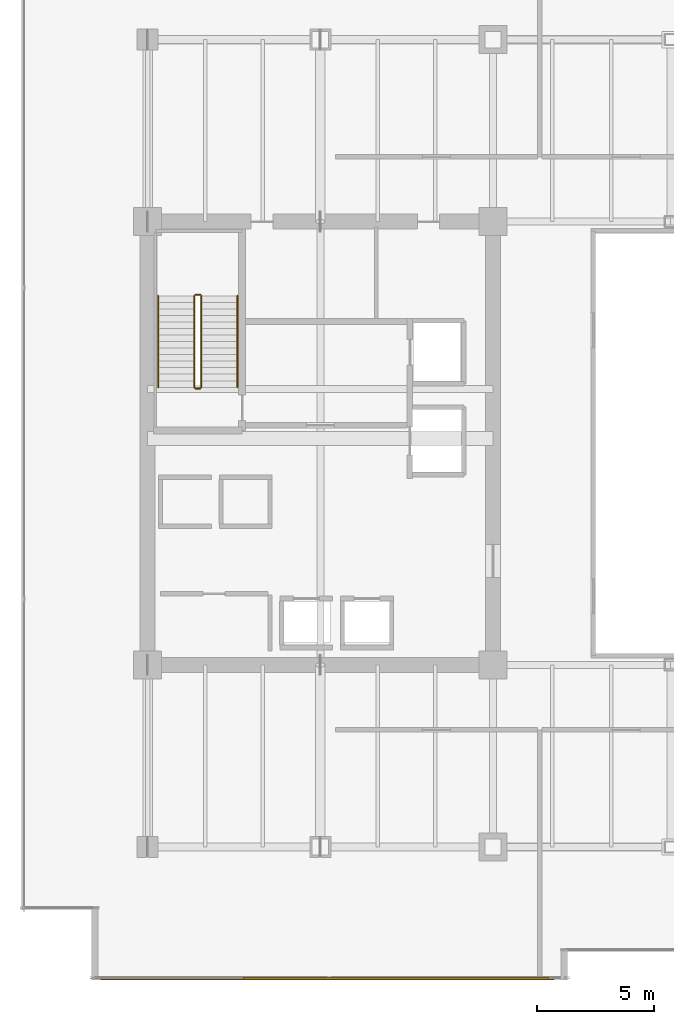
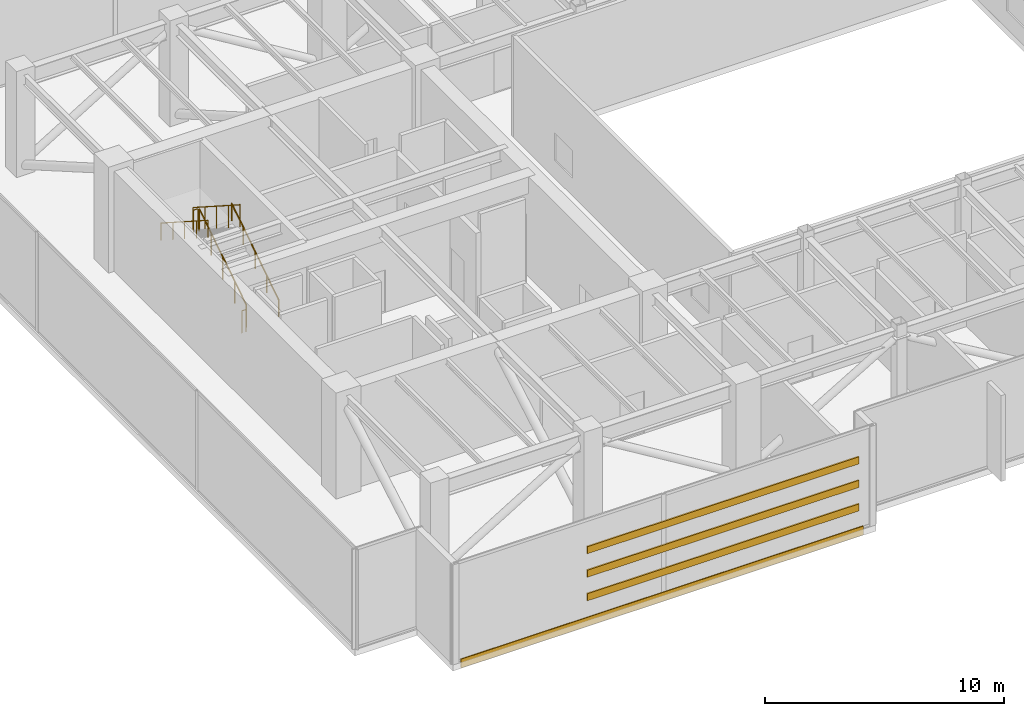
# One storey, part 32 of 34: 6 railings, 3 shading devices, 1 covering.
"""IFC4 building model written with IfcOpenShell, lengths in metres."""

from ifc_helpers import new_model, si_unit, direction, frame, frame_2d, origin, origin_2d, place, context, subcontext, project, spatial, rectangle, circle, extrude, source, transform, mapped, material, layer, layer_set, material_profile, profile_set, type_object, type_shapes, element, save


model = new_model("IFC4")

# Units and contexts
model_context = context("Model", 3, precision=1e-05, world=origin(), true_north=direction((0.0, 1.0)))
body_context = subcontext(model_context, "Body", "Model", "MODEL_VIEW")
ifc_project = project(units=[si_unit("LENGTHUNIT", "METRE"), si_unit("AREAUNIT", "SQUARE_METRE"), si_unit("VOLUMEUNIT", "CUBIC_METRE"), si_unit("PLANEANGLEUNIT", "RADIAN"), si_unit("MASSUNIT", "GRAM", prefix="KILO")], contexts=[model_context])

# Site, building, storey
site_placement = place(None, origin())
site = spatial("IfcSite", under=ifc_project, at=site_placement, CompositionType="ELEMENT")
building_placement = place(site_placement, origin())
building = spatial("IfcBuilding", under=site, at=building_placement, Name="Haelvirn Gate Laboratories", CompositionType="ELEMENT")
storey_placement = place(building_placement, frame((0.0, 0.0, 191.199951171875)))
storey = spatial("IfcBuildingStorey", under=building, at=storey_placement, Name="L46", CompositionType="ELEMENT", Elevation=191.199951171875)

# Covering
ifc_material_1 = material(Name="Anodised bronze honeycomb aluminium spandrel cladding", Category="aluminium")
ifc_layer = layer(ifc_material_1, 0.044921875, Name="COV-CLAD-BRZ")
ifc_layer_set = layer_set([ifc_layer], Name="Anodised bronze honeycomb aluminium spandrel cladding")
covering_type = type_object("IfcCoveringType", Name="COV-CLAD-BRZ", PredefinedType="CLADDING", material=ifc_layer_set)
covering_placement = place(storey_placement, frame((5.39990234375, 1.330078125, -0.300048828125), z_axis=(0.0, 0.0, 1.0), x_axis=(1.0, 0.0, 0.0)))
element("IfcCovering", 1, at=covering_placement, inside=storey, type_object=covering_type, Name="L46 Bronze Slab-Edge Spandrel Cladding SW", PredefinedType="CLADDING", context=body_context, shape_type="SweptSolid", body=[
    extrude(rectangle(XDim=19.400146484375, YDim=0.044921875, at=frame_2d((9.7001953125, 0.0))), origin(), (0.0, 0.0, 1.0), 0.4501953125),
])

# Shading devices
ifc_material_2 = material(Name="Extruded aluminium 6063-T6 (anodised bronze)", Category="aluminium")
ifc_material_profile = material_profile(ifc_material_2, rectangle(XDim=0.080078125, YDim=0.360107421875, at=origin_2d()), Name="LOUV-360x80")
ifc_profile_set = profile_set([ifc_material_profile], Name="Extruded aluminium 6063-T6 (anodised bronze)")
shading_device_type = type_object("IfcShadingDeviceType", Name="SHD-LOUV-360", PredefinedType="USERDEFINED", material=ifc_profile_set)
shared_shape_1 = source(origin(), body_context, "Body", "SweptSolid", [
    extrude(rectangle(XDim=0.080078125, YDim=0.360107421875, at=origin_2d()), origin(), (0.0, 0.0, 1.0), 13.10009765625),
])
type_shapes(shading_device_type, [shared_shape_1])
for number, where, z_axis, x_axis, name in (
    (2, (11.5, 1.3798828125, 1.150146484375), (1.0, 0.0, 0.0), (0.0, 1.0, 0.0), "L46 South Acoustic Plant Louvre 1"),
    (3, (11.5, 1.3798828125, 2.35009765625), (1.0, 0.0, 0.0), (0.0, 1.0, 0.0), "L46 South Acoustic Plant Louvre 2"),
    (4, (11.5, 1.3798828125, 3.550048828125), (1.0, 0.0, 0.0), (0.0, 1.0, 0.0), "L46 South Acoustic Plant Louvre 3"),
):
    element("IfcShadingDevice", number, at=place(storey_placement, frame(where, z_axis=z_axis, x_axis=x_axis)), inside=storey, type_object=shading_device_type, Name=name, ObjectType="LOUVRE", PredefinedType="USERDEFINED", context=body_context, shape_type="MappedRepresentation", body=[
        mapped(shared_shape_1, transform((0.0, 0.0, 0.0), scale=1.0)),
    ])

# Railings
ifc_material_3 = material(Name="Galvanised steel SM355 & stainless top rail", Category="steel")
railing_type_1 = type_object("IfcRailingType", Name="RL-GUARD-1150", PredefinedType="GUARDRAIL", material=ifc_material_3)
shared_shape_2 = source(origin(), body_context, "Body", "SweptSolid", [
    extrude(circle(Radius=0.02392578125, at=origin_2d()), frame((0.0, 0.0, 1.1259765625), z_axis=(-1.0, 0.0, 0.0), x_axis=(0.0, -1.0, 0.0)), (0.0, 0.0, 1.0), 0.199951171875),
    extrude(circle(Radius=0.02099609375, at=origin_2d()), origin(), (0.0, 0.0, 1.0), 1.101806640625),
    extrude(circle(Radius=0.02099609375, at=origin_2d()), frame((-0.199951171875, 0.0, 0.0)), (0.0, 0.0, 1.0), 1.101806640625),
])
for number, where, name in (
    (5, (9.64990234375, 30.669921875, 2.699951171875), "L46 ST1 stair guard 2"),
    (6, (9.64990234375, 26.64990234375, 0.0), "L46 ST1 stair guard 4"),
):
    element("IfcRailing", number, at=place(storey_placement, frame(where)), inside=storey, type_object=railing_type_1, Name=name, PredefinedType="GUARDRAIL", context=body_context, shape_type="MappedRepresentation", body=[
        mapped(shared_shape_2, transform((0.0, 0.0, 0.0), scale=1.0)),
    ])
shared_shape_3 = source(origin(), body_context, "Body", "SweptSolid", [
    extrude(circle(Radius=0.02392578125, at=origin_2d()), frame((0.0, 0.0, 1.1259765625), z_axis=(0.0, 0.841186985886, 0.540744352514), x_axis=(-1.0, 0.0, 0.0)), (0.0, 0.0, 1.0), 4.660400390625),
    extrude(circle(Radius=0.02099609375, at=origin_2d()), origin(), (0.0, 0.0, 1.0), 1.101806640625),
    extrude(circle(Radius=0.02099609375, at=origin_2d()), frame((0.0, 0.97998046875, 0.6298828125)), (0.0, 0.0, 1.0), 1.101806640625),
    extrude(circle(Radius=0.02099609375, at=origin_2d()), frame((0.0, 1.9599609375, 1.260009765625)), (0.0, 0.0, 1.0), 1.101806640625),
    extrude(circle(Radius=0.02099609375, at=origin_2d()), frame((0.0, 2.940185546875, 1.89013671875)), (0.0, 0.0, 1.0), 1.101806640625),
    extrude(circle(Radius=0.02099609375, at=origin_2d()), frame((0.0, 3.920166015625, 2.52001953125)), (0.0, 0.0, 1.0), 1.101806640625),
])
railing_1_placement = place(storey_placement, frame((9.699951171875, 26.699951171875, 0.179931640625)))
element("IfcRailing", 7, at=railing_1_placement, inside=storey, type_object=railing_type_1, Name="L46 ST1 stair guard 1", PredefinedType="GUARDRAIL", context=body_context, shape_type="MappedRepresentation", body=[
    mapped(shared_shape_3, transform((0.0, 0.0, 0.0), scale=1.0)),
])
shared_shape_4 = source(origin(), body_context, "Body", "SweptSolid", [
    extrude(circle(Radius=0.02392578125, at=origin_2d()), frame((0.0, 0.0, 1.1259765625), z_axis=(0.0, -0.841186985886, 0.540744352514), x_axis=(1.0, 0.0, 0.0)), (0.0, 0.0, 1.0), 4.660400390625),
    extrude(circle(Radius=0.02099609375, at=origin_2d()), origin(), (0.0, 0.0, 1.0), 1.101806640625),
    extrude(circle(Radius=0.02099609375, at=origin_2d()), frame((0.0, -0.97998046875, 0.6298828125)), (0.0, 0.0, 1.0), 1.101806640625),
    extrude(circle(Radius=0.02099609375, at=origin_2d()), frame((0.0, -1.9599609375, 1.260009765625)), (0.0, 0.0, 1.0), 1.101806640625),
    extrude(circle(Radius=0.02099609375, at=origin_2d()), frame((0.0, -2.940185546875, 1.89013671875)), (0.0, 0.0, 1.0), 1.101806640625),
    extrude(circle(Radius=0.02099609375, at=origin_2d()), frame((0.0, -3.920166015625, 2.52001953125)), (0.0, 0.0, 1.0), 1.101806640625),
])
type_shapes(railing_type_1, [shared_shape_2, shared_shape_3, shared_shape_4])
railing_2_placement = place(storey_placement, frame((9.39990234375, 30.6201171875, 2.880126953125)))
element("IfcRailing", 8, at=railing_2_placement, inside=storey, type_object=railing_type_1, Name="L46 ST1 stair guard 3", PredefinedType="GUARDRAIL", context=body_context, shape_type="MappedRepresentation", body=[
    mapped(shared_shape_4, transform((0.0, 0.0, 0.0), scale=1.0)),
])
ifc_material_4 = material(Name="Brushed stainless steel 316L", Category="steel")
railing_type_2 = type_object("IfcRailingType", Name="RL-HAND-920", PredefinedType="HANDRAIL", material=ifc_material_4)
shared_shape_5 = source(origin(), body_context, "Body", "SweptSolid", [
    extrude(circle(Radius=0.02392578125, at=origin_2d()), frame((0.0, 0.0, 0.8759765625), z_axis=(0.0, 0.841186985886, 0.540744352514), x_axis=(-1.0, 0.0, 0.0)), (0.0, 0.0, 1.0), 4.660400390625),
    extrude(circle(Radius=0.02099609375, at=origin_2d()), origin(), (0.0, 0.0, 1.0), 0.851806640625),
    extrude(circle(Radius=0.02099609375, at=origin_2d()), frame((0.0, 0.97998046875, 0.6298828125)), (0.0, 0.0, 1.0), 0.851806640625),
    extrude(circle(Radius=0.02099609375, at=origin_2d()), frame((0.0, 1.9599609375, 1.260009765625)), (0.0, 0.0, 1.0), 0.851806640625),
    extrude(circle(Radius=0.02099609375, at=origin_2d()), frame((0.0, 2.940185546875, 1.89013671875)), (0.0, 0.0, 1.0), 0.851806640625),
    extrude(circle(Radius=0.02099609375, at=origin_2d()), frame((0.0, 3.920166015625, 2.52001953125)), (0.0, 0.0, 1.0), 0.851806640625),
])
railing_3_placement = place(storey_placement, frame((11.25, 26.699951171875, 0.179931640625)))
element("IfcRailing", 9, at=railing_3_placement, inside=storey, type_object=railing_type_2, Name="L46 ST1 stair handrail 1", PredefinedType="HANDRAIL", context=body_context, shape_type="MappedRepresentation", body=[
    mapped(shared_shape_5, transform((0.0, 0.0, 0.0), scale=1.0)),
])
shared_shape_6 = source(origin(), body_context, "Body", "SweptSolid", [
    extrude(circle(Radius=0.02392578125, at=origin_2d()), frame((0.0, 0.0, 0.8759765625), z_axis=(0.0, -0.841186985886, 0.540744352514), x_axis=(1.0, 0.0, 0.0)), (0.0, 0.0, 1.0), 4.660400390625),
    extrude(circle(Radius=0.02099609375, at=origin_2d()), origin(), (0.0, 0.0, 1.0), 0.851806640625),
    extrude(circle(Radius=0.02099609375, at=origin_2d()), frame((0.0, -0.97998046875, 0.6298828125)), (0.0, 0.0, 1.0), 0.851806640625),
    extrude(circle(Radius=0.02099609375, at=origin_2d()), frame((0.0, -1.9599609375, 1.260009765625)), (0.0, 0.0, 1.0), 0.851806640625),
    extrude(circle(Radius=0.02099609375, at=origin_2d()), frame((0.0, -2.940185546875, 1.89013671875)), (0.0, 0.0, 1.0), 0.851806640625),
    extrude(circle(Radius=0.02099609375, at=origin_2d()), frame((0.0, -3.920166015625, 2.52001953125)), (0.0, 0.0, 1.0), 0.851806640625),
])
type_shapes(railing_type_2, [shared_shape_5, shared_shape_6])
railing_4_placement = place(storey_placement, frame((7.85009765625, 30.6201171875, 2.880126953125)))
element("IfcRailing", 10, at=railing_4_placement, inside=storey, type_object=railing_type_2, Name="L46 ST1 stair handrail 2", PredefinedType="HANDRAIL", context=body_context, shape_type="MappedRepresentation", body=[
    mapped(shared_shape_6, transform((0.0, 0.0, 0.0), scale=1.0)),
])

save(model, "model.ifc")
